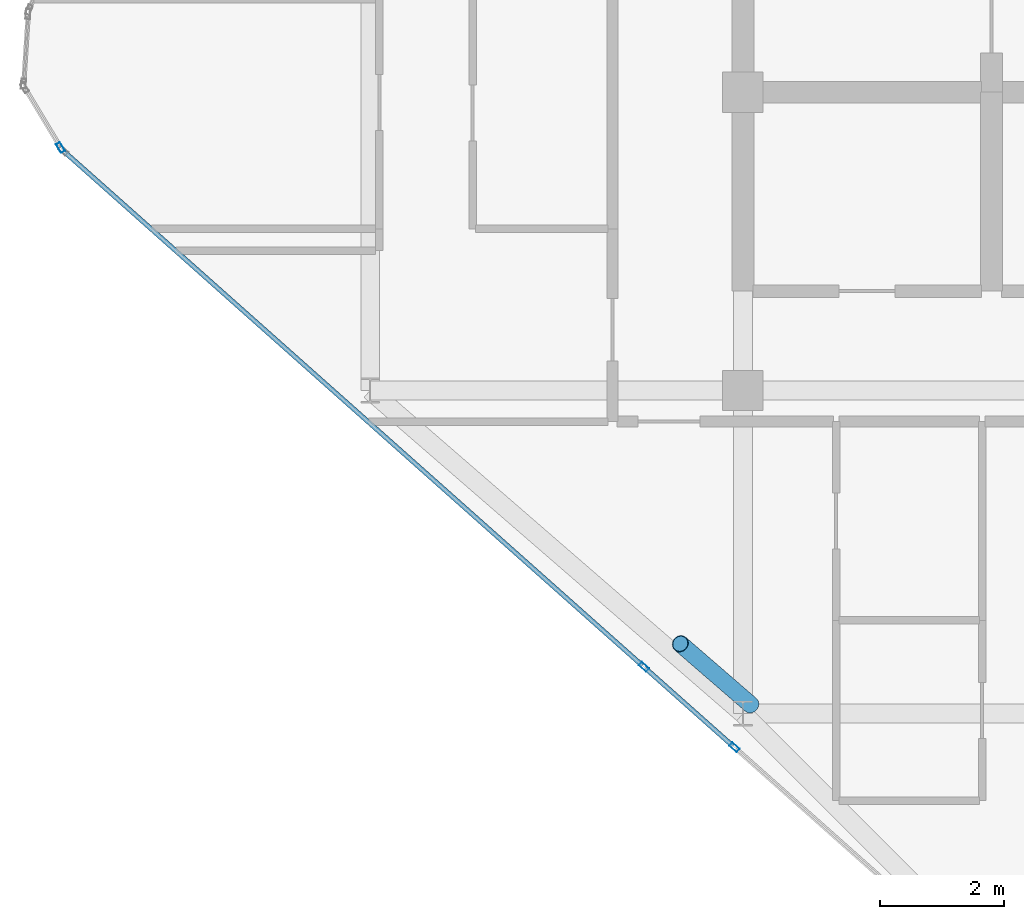
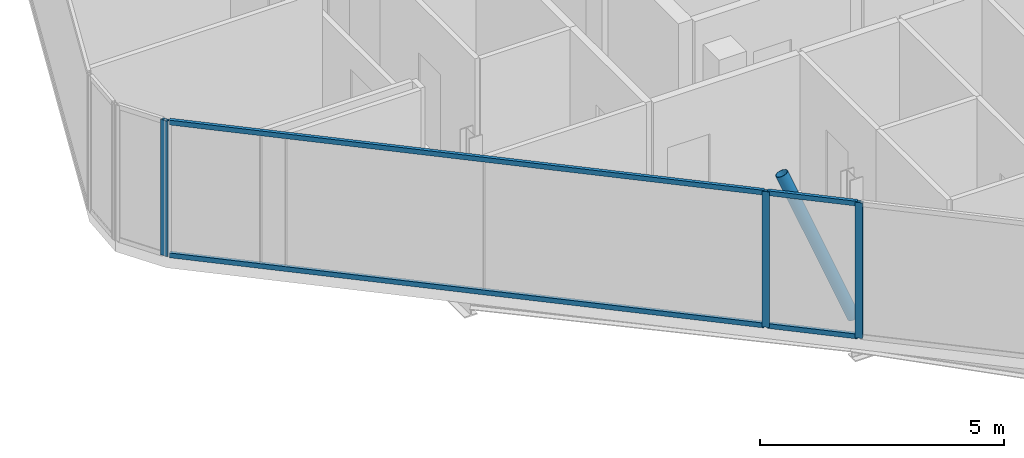
# One storey, part 3 of 27: 8 members, 4 elements without a shape of their own.
"""IFC4 building model written with IfcOpenShell, lengths in metres."""

from ifc_helpers import new_model, si_unit, direction, frame, origin, origin_2d, place, context, subcontext, project, spatial, hollow_rectangle, hollow_circle, extrude, material, layer, layer_set, material_profile, profile_set, type_object, element, aggregate, save


model = new_model("IFC4")

# Units and contexts
model_context = context("Model", 3, precision=1e-05, world=origin(), true_north=direction((0.0, 1.0)))
body_context = subcontext(model_context, "Body", "Model", "MODEL_VIEW")
ifc_project = project(units=[si_unit("LENGTHUNIT", "METRE"), si_unit("AREAUNIT", "SQUARE_METRE"), si_unit("VOLUMEUNIT", "CUBIC_METRE"), si_unit("PLANEANGLEUNIT", "RADIAN"), si_unit("MASSUNIT", "GRAM", prefix="KILO")], contexts=[model_context])

# Site, building, storey
site_placement = place(None, origin())
site = spatial("IfcSite", under=ifc_project, at=site_placement, CompositionType="ELEMENT")
building_placement = place(site_placement, origin())
building = spatial("IfcBuilding", under=site, at=building_placement, Name="Keshet Zoharim Tower", CompositionType="ELEMENT")
storey_placement = place(building_placement, frame((0.0, 0.0, 284.300048828125)))
storey = spatial("IfcBuildingStorey", under=building, at=storey_placement, Name="L71", CompositionType="ELEMENT", Elevation=284.300048828125)

# Curtain wall, member
ifc_material_1 = material(Name="Aluminium 6063-T6", Category="aluminium")
ifc_layer = layer(ifc_material_1, 0.260009765625)
ifc_layer_set = layer_set([ifc_layer], Name="Aluminium 6063-T6")
curtain_wall_type = type_object("IfcCurtainWallType", Name="CW-SYS-06", PredefinedType="NOTDEFINED", material=ifc_layer_set)
curtain_wall_1_placement = place(storey_placement, origin())
curtain_wall_1 = element("IfcCurtainWall", 1, at=curtain_wall_1_placement, inside=storey, type_object=curtain_wall_type, Name="L71 Unitised Curtain Wall 01", PredefinedType="NOTDEFINED")
ifc_material_profile_1 = material_profile(ifc_material_1, hollow_rectangle(XDim=0.074951171875, YDim=0.159912109375, WallThickness=0.00390625, at=origin_2d()), Name="MUL-75x160")
ifc_profile_set_1 = profile_set([ifc_material_profile_1], Name="Aluminium 6063-T6")
member_type_1 = type_object("IfcMemberType", Name="CWM-M15", PredefinedType="MULLION", material=ifc_profile_set_1)
member_1_placement = place(storey_placement, frame((4.016845703125, 21.81005859375, 0.0), z_axis=(0.0, 0.0, 1.0), x_axis=(-0.856826433805, -0.515604947933, 0.0)))
member_1 = element("IfcMember", 2, at=member_1_placement, type_object=member_type_1, Name="CW-06 mullion 1", PredefinedType="MULLION", context=body_context, shape_type="SweptSolid", body=[
    extrude(hollow_rectangle(XDim=0.074951171875, YDim=0.159912109375, WallThickness=0.00390625, at=origin_2d()), origin(), (0.0, 0.0, 1.0), 3.389892578125),
])
aggregate(curtain_wall_1, [member_1])

curtain_wall_2_placement = place(storey_placement, origin())
curtain_wall_2 = element("IfcCurtainWall", 3, at=curtain_wall_2_placement, inside=storey, type_object=curtain_wall_type, Name="L71 Unitised Curtain Wall 16", PredefinedType="NOTDEFINED")
member_2_placement = place(storey_placement, frame((14.863037109375, 12.155029296875, 0.0), z_axis=(0.0, 0.0, 1.0), x_axis=(-0.664362180559, -0.747410792699, 0.0)))
member_2 = element("IfcMember", 4, at=member_2_placement, type_object=member_type_1, Name="CW-06 mullion 2", PredefinedType="MULLION", context=body_context, shape_type="SweptSolid", body=[
    extrude(hollow_rectangle(XDim=0.074951171875, YDim=0.159912109375, WallThickness=0.00390625, at=origin_2d()), origin(), (0.0, 0.0, 1.0), 3.389892578125),
])
aggregate(curtain_wall_2, [member_2])

# Curtain wall, members
curtain_wall_3_placement = place(storey_placement, origin())
curtain_wall_3 = element("IfcCurtainWall", 5, at=curtain_wall_3_placement, inside=storey, type_object=curtain_wall_type, Name="L71 Unitised Curtain Wall 16 Part 2", PredefinedType="NOTDEFINED")
member_3_placement = place(storey_placement, frame((13.40576171875, 13.450439453125, 0.0), z_axis=(0.0, 0.0, 1.0), x_axis=(-0.664338369143, -0.747431957629, 0.0)))
member_3 = element("IfcMember", 6, at=member_3_placement, type_object=member_type_1, Name="CW-06 mullion 2", PredefinedType="MULLION", context=body_context, shape_type="SweptSolid", body=[
    extrude(hollow_rectangle(XDim=0.074951171875, YDim=0.159912109375, WallThickness=0.00390625, at=origin_2d()), origin(), (0.0, 0.0, 1.0), 3.389892578125),
])
ifc_material_profile_2 = material_profile(ifc_material_1, hollow_rectangle(XDim=0.074951171875, YDim=0.1201171875, WallThickness=0.00390625, at=origin_2d()), Name="TRN-75x120")
ifc_profile_set_2 = profile_set([ifc_material_profile_2], Name="Aluminium 6063-T6")
member_type_2 = type_object("IfcMemberType", Name="CWT-T12", PredefinedType="USERDEFINED", material=ifc_profile_set_2)
member_4_placement = place(storey_placement, frame((14.8369140625, 12.178466796875, 0.034912109375), z_axis=(-0.747452318941, 0.664315460387, 0.0), x_axis=(-0.664315460387, -0.747452318941, 0.0)))
member_4 = element("IfcMember", 7, at=member_4_placement, type_object=member_type_2, Name="CW-06 transom 1.1", ObjectType="TRANSOM", PredefinedType="USERDEFINED", context=body_context, shape_type="SweptSolid", body=[
    extrude(hollow_rectangle(XDim=0.074951171875, YDim=0.1201171875, WallThickness=0.00390625, at=origin_2d()), origin(), (0.0, 0.0, 1.0), 1.87939453125),
])
member_5_placement = place(storey_placement, frame((14.8369140625, 12.178466796875, 3.35498046875), z_axis=(-0.747452318941, 0.664315460387, 0.0), x_axis=(-0.664315460387, -0.747452318941, 0.0)))
member_5 = element("IfcMember", 8, at=member_5_placement, type_object=member_type_2, Name="CW-06 transom 1.2", ObjectType="TRANSOM", PredefinedType="USERDEFINED", context=body_context, shape_type="SweptSolid", body=[
    extrude(hollow_rectangle(XDim=0.074951171875, YDim=0.1201171875, WallThickness=0.00390625, at=origin_2d()), origin(), (0.0, 0.0, 1.0), 1.87939453125),
])
aggregate(curtain_wall_3, [member_3, member_4, member_5])

curtain_wall_4_placement = place(storey_placement, origin())
curtain_wall_4 = element("IfcCurtainWall", 9, at=curtain_wall_4_placement, inside=storey, type_object=curtain_wall_type, Name="L71 Unitised Curtain Wall 16 Part 3", PredefinedType="NOTDEFINED")
member_6_placement = place(storey_placement, frame((13.379638671875, 13.4736328125, 0.034912109375), z_axis=(-0.747409318684, 0.66436383883, 0.0), x_axis=(-0.66436383883, -0.747409318684, 0.0)))
member_6 = element("IfcMember", 10, at=member_6_placement, type_object=member_type_2, Name="CW-06 transom 1.1", ObjectType="TRANSOM", PredefinedType="USERDEFINED", context=body_context, shape_type="SweptSolid", body=[
    extrude(hollow_rectangle(XDim=0.074951171875, YDim=0.1201171875, WallThickness=0.00390625, at=origin_2d()), origin(), (0.0, 0.0, 1.0), 12.4326171875),
])
member_7_placement = place(storey_placement, frame((13.379638671875, 13.4736328125, 3.35498046875), z_axis=(-0.747409318684, 0.66436383883, 0.0), x_axis=(-0.66436383883, -0.747409318684, 0.0)))
member_7 = element("IfcMember", 11, at=member_7_placement, type_object=member_type_2, Name="CW-06 transom 1.2", ObjectType="TRANSOM", PredefinedType="USERDEFINED", context=body_context, shape_type="SweptSolid", body=[
    extrude(hollow_rectangle(XDim=0.074951171875, YDim=0.1201171875, WallThickness=0.00390625, at=origin_2d()), origin(), (0.0, 0.0, 1.0), 12.4326171875),
])
aggregate(curtain_wall_4, [member_6, member_7])

# Member
ifc_material_2 = material(Name="Steel S355", Category="steel")
ifc_material_profile_3 = material_profile(ifc_material_2, hollow_circle(Radius=0.136474609375, WallThickness=0.010009765625, at=origin_2d()), Name="CHS273x10")
ifc_profile_set_3 = profile_set([ifc_material_profile_3], Name="Steel S355")
member_type_3 = type_object("IfcMemberType", Name="MB-BR-C273", PredefinedType="BRACE", material=ifc_profile_set_3)
member_8_placement = place(storey_placement, frame((15.1259765625, 12.842041015625, 0.0), z_axis=(-0.305919508672, 0.264888754334, 0.914465528077), x_axis=(-0.654589683411, -0.755984355904, 0.0)))
element("IfcMember", 12, at=member_8_placement, inside=storey, type_object=member_type_3, Name="L71 Perimeter Tube Brace 01", PredefinedType="BRACE", context=body_context, shape_type="SweptSolid", body=[
    extrude(hollow_circle(Radius=0.136474609375, WallThickness=0.010009765625, at=origin_2d()), origin(), (0.0, 0.0, 1.0), 3.70703125),
])

save(model, "model.ifc")
